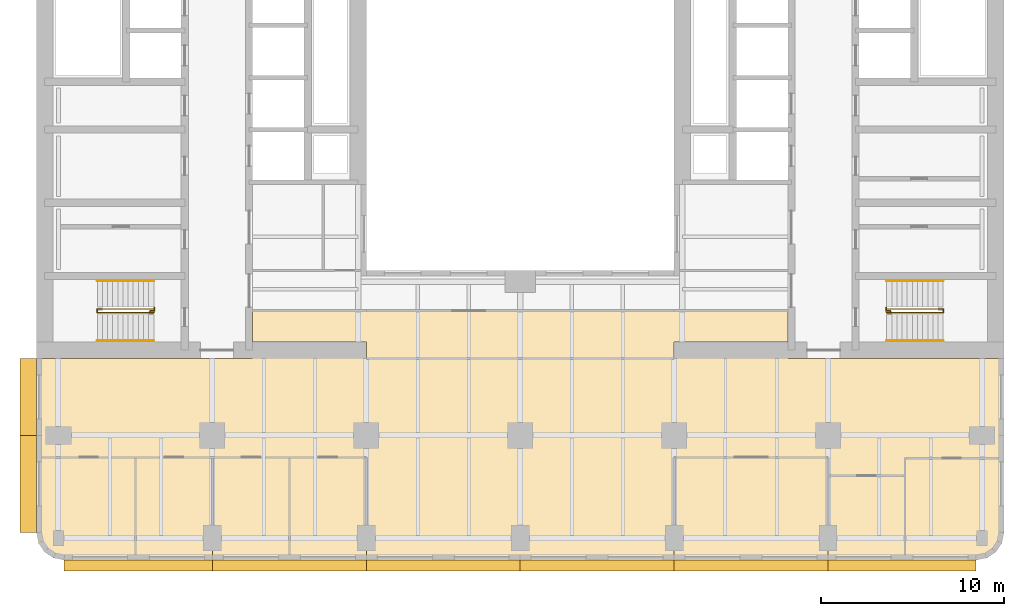
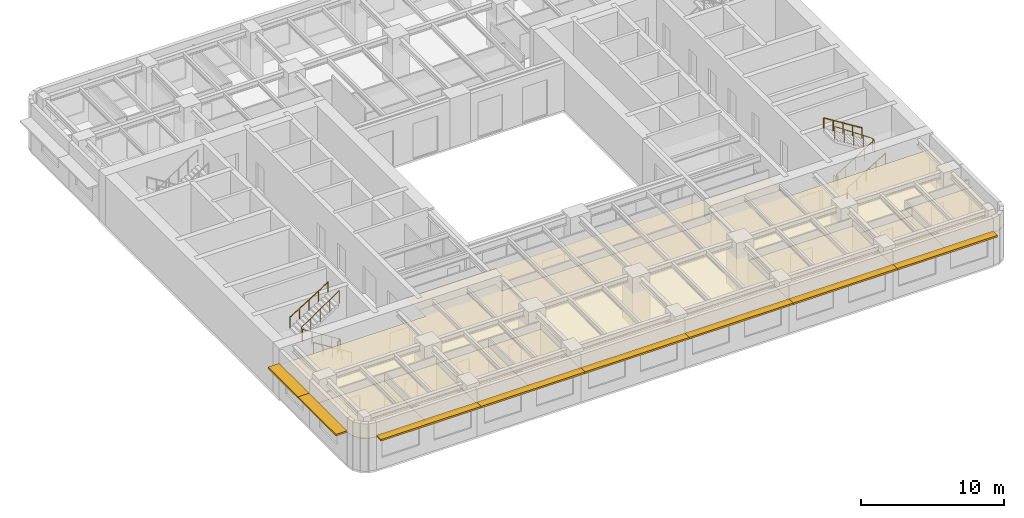
# One storey, part 9 of 11: 9 coverings, 8 railings, 8 shading devices.
"""IFC4 building model written with IfcOpenShell, lengths in metres."""

from ifc_helpers import new_model, si_unit, direction, frame, origin, origin_2d, place, context, subcontext, project, spatial, polyline, rectangle, circle, outline, extrude, material, layer, layer_set, type_object, element, save


model = new_model("IFC4")

# Units and contexts
model_context = context("Model", 3, precision=1e-05, world=origin(), true_north=direction((0.0, 1.0)))
body_context = subcontext(model_context, "Body", "Model", "MODEL_VIEW")
ifc_project = project(units=[si_unit("LENGTHUNIT", "METRE"), si_unit("AREAUNIT", "SQUARE_METRE"), si_unit("VOLUMEUNIT", "CUBIC_METRE"), si_unit("PLANEANGLEUNIT", "RADIAN"), si_unit("MASSUNIT", "GRAM", prefix="KILO")], contexts=[model_context])

# Site, building, storey
site_placement = place(None, origin())
site = spatial("IfcSite", under=ifc_project, at=site_placement, CompositionType="ELEMENT")
building_placement = place(site_placement, origin())
building = spatial("IfcBuilding", under=site, at=building_placement, Name="Claustro Exchange Tower", CompositionType="ELEMENT")
storey_placement = place(building_placement, frame((0.0, 0.0, 109.199951171875)))
storey = spatial("IfcBuildingStorey", under=building, at=storey_placement, Name="L24", CompositionType="ELEMENT", Elevation=109.199951171875)

# Coverings
ifc_material_1 = material(Name="Perforated metal ceiling tiles", Category="steel")
ifc_layer_1 = layer(ifc_material_1, 0.030029296875)
ifc_layer_set_1 = layer_set([ifc_layer_1], Name="Perforated metal ceiling tiles")
covering_type_1 = type_object("IfcCoveringType", Name="CL1 suspended metal ceiling", PredefinedType="CEILING", material=ifc_layer_set_1)
covering_1_placement = place(storey_placement, frame((0.0, 0.0, 2.800048828125)))
element("IfcCovering", 1, at=covering_1_placement, inside=storey, type_object=covering_type_1, Name="Ceiling CL1 L24-08", PredefinedType="CEILING", context=body_context, shape_type="SweptSolid", body=[
    extrude(outline(polyline([(-1.199951171875, 12.60009765625), (-1.199951171875, 7.199951171875), (4.199951171875, 7.199951171875), (8.39990234375, 7.199951171875), (12.60009765625, 7.199951171875), (16.800048828125, 7.199951171875), (16.800048828125, 1.60009765625), (33.60009765625, 1.60009765625), (33.60009765625, 7.199951171875), (42.0, 7.199951171875), (42.0, 6.199951171875), (46.199951171875, 6.199951171875), (46.199951171875, 7.14990234375), (51.60009765625, 7.14990234375), (51.60009765625, 12.60009765625), (39.800048828125, 12.60009765625), (39.800048828125, 13.5), (33.60009765625, 13.5), (33.60009765625, 12.60009765625), (16.800048828125, 12.60009765625), (16.800048828125, 13.5), (10.60009765625, 13.5), (10.60009765625, 12.60009765625), (-1.199951171875, 12.60009765625)])), origin(), (0.0, 0.0, 1.0), 0.030029296875),
])
ifc_material_2 = material(Name="Gypsum board ceiling", Category="gypsum board")
ifc_layer_2 = layer(ifc_material_2, 0.02490234375)
ifc_layer_set_2 = layer_set([ifc_layer_2], Name="Gypsum board ceiling")
covering_type_2 = type_object("IfcCoveringType", Name="CL2 plasterboard ceiling", PredefinedType="CEILING", material=ifc_layer_set_2)
covering_2_placement = place(storey_placement, frame((0.0, 0.0, 2.800048828125)))
element("IfcCovering", 2, at=covering_2_placement, inside=storey, type_object=covering_type_2, Name="Ceiling CL2 L24-01", PredefinedType="CEILING", context=body_context, shape_type="SweptSolid", body=[
    extrude(outline(polyline([(42.0, 1.60009765625), (46.199951171875, 1.60009765625), (46.199951171875, 6.199951171875), (42.0, 6.199951171875), (42.0, 1.60009765625)])), origin(), (0.0, 0.0, 1.0), 0.02490234375),
])
covering_3_placement = place(storey_placement, frame((0.0, 0.0, 2.800048828125)))
element("IfcCovering", 3, at=covering_3_placement, inside=storey, type_object=covering_type_2, Name="Ceiling CL2 L24-02", PredefinedType="CEILING", context=body_context, shape_type="SweptSolid", body=[
    extrude(outline(polyline([(-1.085693359375, 2.52587890625), (-0.7607421875, 2.039306640625), (-0.27392578125, 1.714111328125), (0.300048828125, 1.60009765625), (4.199951171875, 1.60009765625), (4.199951171875, 7.199951171875), (-1.199951171875, 7.199951171875), (-1.199951171875, 3.10009765625), (-1.085693359375, 2.52587890625)])), origin(), (0.0, 0.0, 1.0), 0.02490234375),
])
covering_4_placement = place(storey_placement, frame((0.0, 0.0, 2.800048828125)))
element("IfcCovering", 4, at=covering_4_placement, inside=storey, type_object=covering_type_2, Name="Ceiling CL2 L24-03", PredefinedType="CEILING", context=body_context, shape_type="SweptSolid", body=[
    extrude(outline(polyline([(4.199951171875, 1.60009765625), (8.39990234375, 1.60009765625), (8.39990234375, 7.199951171875), (4.199951171875, 7.199951171875), (4.199951171875, 1.60009765625)])), origin(), (0.0, 0.0, 1.0), 0.02490234375),
])
covering_5_placement = place(storey_placement, frame((0.0, 0.0, 2.800048828125)))
element("IfcCovering", 5, at=covering_5_placement, inside=storey, type_object=covering_type_2, Name="Ceiling CL2 L24-04", PredefinedType="CEILING", context=body_context, shape_type="SweptSolid", body=[
    extrude(outline(polyline([(8.39990234375, 1.60009765625), (12.60009765625, 1.60009765625), (12.60009765625, 7.199951171875), (8.39990234375, 7.199951171875), (8.39990234375, 1.60009765625)])), origin(), (0.0, 0.0, 1.0), 0.02490234375),
])
covering_6_placement = place(storey_placement, frame((0.0, 0.0, 2.800048828125)))
element("IfcCovering", 6, at=covering_6_placement, inside=storey, type_object=covering_type_2, Name="Ceiling CL2 L24-05", PredefinedType="CEILING", context=body_context, shape_type="SweptSolid", body=[
    extrude(outline(polyline([(12.60009765625, 1.60009765625), (16.800048828125, 1.60009765625), (16.800048828125, 7.199951171875), (12.60009765625, 7.199951171875), (12.60009765625, 1.60009765625)])), origin(), (0.0, 0.0, 1.0), 0.02490234375),
])
covering_7_placement = place(storey_placement, frame((0.0, 0.0, 2.800048828125)))
element("IfcCovering", 7, at=covering_7_placement, inside=storey, type_object=covering_type_2, Name="Ceiling CL2 L24-06", PredefinedType="CEILING", context=body_context, shape_type="SweptSolid", body=[
    extrude(outline(polyline([(33.60009765625, 1.60009765625), (42.0, 1.60009765625), (42.0, 7.199951171875), (33.60009765625, 7.199951171875), (33.60009765625, 1.60009765625)])), origin(), (0.0, 0.0, 1.0), 0.02490234375),
])
covering_8_placement = place(storey_placement, frame((0.0, 0.0, 2.800048828125)))
element("IfcCovering", 8, at=covering_8_placement, inside=storey, type_object=covering_type_2, Name="Ceiling CL2 L24-07", PredefinedType="CEILING", context=body_context, shape_type="SweptSolid", body=[
    extrude(outline(polyline([(51.60009765625, 3.10009765625), (51.60009765625, 7.14990234375), (46.199951171875, 7.14990234375), (46.199951171875, 1.60009765625), (50.10009765625, 1.60009765625), (50.674072265625, 1.714111328125), (51.16064453125, 2.039306640625), (51.48583984375, 2.52587890625), (51.60009765625, 3.10009765625)])), origin(), (0.0, 0.0, 1.0), 0.02490234375),
])
covering_9_placement = place(storey_placement, frame((0.0, 0.0, 2.800048828125)))
element("IfcCovering", 9, at=covering_9_placement, inside=storey, type_object=covering_type_2, Name="Ceiling CL2 L24-09", PredefinedType="CEILING", context=body_context, shape_type="SweptSolid", body=[
    extrude(outline(polyline([(10.60009765625, 15.199951171875), (10.60009765625, 13.5), (16.800048828125, 13.5), (16.800048828125, 12.60009765625), (33.60009765625, 12.60009765625), (33.60009765625, 13.5), (39.800048828125, 13.5), (39.800048828125, 15.199951171875), (33.60009765625, 15.199951171875), (16.800048828125, 15.199951171875), (10.60009765625, 15.199951171875)])), origin(), (0.0, 0.0, 1.0), 0.02490234375),
])

# Railings
ifc_material_3 = material(Name="Steel balustrade, painted", Category="steel")
railing_type_1 = type_object("IfcRailingType", Name="GR2 1100 steel stair guard", PredefinedType="GUARDRAIL", material=ifc_material_3)
railing_1_placement = place(storey_placement, frame((5.199951171875, 15.10009765625, 0.175048828125)))
element("IfcRailing", 10, at=railing_1_placement, inside=storey, type_object=railing_type_1, Name="Stair well guard GR2 stair STWA L24", PredefinedType="GUARDRAIL", context=body_context, shape_type="SweptSolid", body=[
    extrude(circle(Radius=0.02392578125, at=origin_2d()), frame((0.0, 0.0, 1.076171875), z_axis=(-0.847979421464, 0.0, 0.530029150871), x_axis=(0.0, -1.0, 0.0)), (0.0, 0.0, 1.0), 3.632080078125),
    extrude(circle(Radius=0.02392578125, at=origin_2d()), frame((-3.079833984375, 0.0, 3.0009765625), z_axis=(0.0, 1.0, 0.0), x_axis=(-1.0, 0.0, 0.0)), (0.0, 0.0, 1.0), 0.199951171875),
    extrude(circle(Radius=0.02392578125, at=origin_2d()), frame((-3.079833984375, 0.199951171875, 3.0009765625), z_axis=(0.826231499792, 0.0, 0.563330727682), x_axis=(0.0, 1.0, 0.0)), (0.0, 0.0, 1.0), 3.7275390625),
    extrude(circle(Radius=0.02099609375, at=origin_2d()), origin(), (0.0, 0.0, 1.0), 1.052001953125),
    extrude(circle(Radius=0.02099609375, at=origin_2d()), frame((-0.77001953125, 0.0, 0.481201171875)), (0.0, 0.0, 1.0), 1.052001953125),
    extrude(circle(Radius=0.02099609375, at=origin_2d()), frame((-1.5400390625, 0.0, 0.96240234375)), (0.0, 0.0, 1.0), 1.052001953125),
    extrude(circle(Radius=0.02099609375, at=origin_2d()), frame((-2.309814453125, 0.0, 1.44384765625)), (0.0, 0.0, 1.0), 1.052001953125),
    extrude(circle(Radius=0.02099609375, at=origin_2d()), frame((-3.079833984375, 0.0, 1.925048828125)), (0.0, 0.0, 1.0), 1.052001953125),
    extrude(circle(Radius=0.02099609375, at=origin_2d()), frame((-3.079833984375, 0.199951171875, 1.925048828125)), (0.0, 0.0, 1.0), 1.052001953125),
    extrude(circle(Radius=0.02099609375, at=origin_2d()), frame((-2.309814453125, 0.199951171875, 2.449951171875)), (0.0, 0.0, 1.0), 1.052001953125),
    extrude(circle(Radius=0.02099609375, at=origin_2d()), frame((-1.5400390625, 0.199951171875, 2.97509765625)), (0.0, 0.0, 1.0), 1.052001953125),
    extrude(circle(Radius=0.02099609375, at=origin_2d()), frame((-0.77001953125, 0.199951171875, 3.5)), (0.0, 0.0, 1.0), 1.052001953125),
    extrude(circle(Radius=0.02099609375, at=origin_2d()), frame((0.0, 0.199951171875, 4.02490234375)), (0.0, 0.0, 1.0), 1.052001953125),
])
railing_2_placement = place(storey_placement, frame((5.0, 15.169921875, 0.0)))
element("IfcRailing", 11, at=railing_2_placement, inside=storey, type_object=railing_type_1, Name="Stair guard GR2 STWA L24", PredefinedType="GUARDRAIL", context=body_context, shape_type="SweptSolid", body=[
    extrude(circle(Radius=0.02392578125, at=origin_2d()), frame((0.0, 0.0, 1.076171875), z_axis=(0.0, 1.0, 0.0), x_axis=(-1.0, 0.0, 0.0)), (0.0, 0.0, 1.0), 0.030029296875),
    extrude(circle(Radius=0.02392578125, at=origin_2d()), frame((0.0, 0.030029296875, 1.076171875), z_axis=(1.0, 0.0, 0.0), x_axis=(0.0, 1.0, 0.0)), (0.0, 0.0, 1.0), 0.22509765625),
    extrude(circle(Radius=0.02392578125, at=origin_2d()), frame((0.22509765625, 0.030029296875, 1.076171875), z_axis=(0.0, 1.0, 0.0), x_axis=(-1.0, 0.0, 0.0)), (0.0, 0.0, 1.0), 0.179931640625),
    extrude(circle(Radius=0.02099609375, at=origin_2d()), origin(), (0.0, 0.0, 1.0), 1.052001953125),
    extrude(circle(Radius=0.02099609375, at=origin_2d()), frame((0.0, 0.030029296875, 0.0)), (0.0, 0.0, 1.0), 1.052001953125),
    extrude(circle(Radius=0.02099609375, at=origin_2d()), frame((0.22509765625, 0.030029296875, 0.0)), (0.0, 0.0, 1.0), 1.052001953125),
    extrude(circle(Radius=0.02099609375, at=origin_2d()), frame((0.22509765625, 0.2099609375, 0.0)), (0.0, 0.0, 1.0), 1.052001953125),
])
railing_3_placement = place(storey_placement, frame((45.199951171875, 15.10009765625, 0.175048828125)))
element("IfcRailing", 12, at=railing_3_placement, inside=storey, type_object=railing_type_1, Name="Stair well guard GR2 stair STEA L24", PredefinedType="GUARDRAIL", context=body_context, shape_type="SweptSolid", body=[
    extrude(circle(Radius=0.02392578125, at=origin_2d()), frame((0.0, 0.0, 1.076171875), z_axis=(0.847998304005, 0.0, 0.529998940003), x_axis=(0.0, 1.0, 0.0)), (0.0, 0.0, 1.0), 3.632080078125),
    extrude(circle(Radius=0.02392578125, at=origin_2d()), frame((3.080078125, 0.0, 3.0009765625), z_axis=(0.0, 1.0, 0.0), x_axis=(-1.0, 0.0, 0.0)), (0.0, 0.0, 1.0), 0.199951171875),
    extrude(circle(Radius=0.02392578125, at=origin_2d()), frame((3.080078125, 0.199951171875, 3.0009765625), z_axis=(-0.826252282691, 0.0, 0.563300244406), x_axis=(0.0, -1.0, 0.0)), (0.0, 0.0, 1.0), 3.727783203125),
    extrude(circle(Radius=0.02099609375, at=origin_2d()), origin(), (0.0, 0.0, 1.0), 1.052001953125),
    extrude(circle(Radius=0.02099609375, at=origin_2d()), frame((0.77001953125, 0.0, 0.481201171875)), (0.0, 0.0, 1.0), 1.052001953125),
    extrude(circle(Radius=0.02099609375, at=origin_2d()), frame((1.5400390625, 0.0, 0.96240234375)), (0.0, 0.0, 1.0), 1.052001953125),
    extrude(circle(Radius=0.02099609375, at=origin_2d()), frame((2.31005859375, 0.0, 1.44384765625)), (0.0, 0.0, 1.0), 1.052001953125),
    extrude(circle(Radius=0.02099609375, at=origin_2d()), frame((3.080078125, 0.0, 1.925048828125)), (0.0, 0.0, 1.0), 1.052001953125),
    extrude(circle(Radius=0.02099609375, at=origin_2d()), frame((3.080078125, 0.199951171875, 1.925048828125)), (0.0, 0.0, 1.0), 1.052001953125),
    extrude(circle(Radius=0.02099609375, at=origin_2d()), frame((2.31005859375, 0.199951171875, 2.449951171875)), (0.0, 0.0, 1.0), 1.052001953125),
    extrude(circle(Radius=0.02099609375, at=origin_2d()), frame((1.5400390625, 0.199951171875, 2.97509765625)), (0.0, 0.0, 1.0), 1.052001953125),
    extrude(circle(Radius=0.02099609375, at=origin_2d()), frame((0.77001953125, 0.199951171875, 3.5)), (0.0, 0.0, 1.0), 1.052001953125),
    extrude(circle(Radius=0.02099609375, at=origin_2d()), frame((0.0, 0.199951171875, 4.02490234375)), (0.0, 0.0, 1.0), 1.052001953125),
])
railing_4_placement = place(storey_placement, frame((45.39990234375, 15.169921875, 0.0)))
element("IfcRailing", 13, at=railing_4_placement, inside=storey, type_object=railing_type_1, Name="Stair guard GR2 STEA L24", PredefinedType="GUARDRAIL", context=body_context, shape_type="SweptSolid", body=[
    extrude(circle(Radius=0.02392578125, at=origin_2d()), frame((0.0, 0.0, 1.076171875), z_axis=(0.0, 1.0, 0.0), x_axis=(-1.0, 0.0, 0.0)), (0.0, 0.0, 1.0), 0.030029296875),
    extrude(circle(Radius=0.02392578125, at=origin_2d()), frame((0.0, 0.030029296875, 1.076171875), z_axis=(-1.0, 0.0, 0.0), x_axis=(0.0, -1.0, 0.0)), (0.0, 0.0, 1.0), 0.224853515625),
    extrude(circle(Radius=0.02392578125, at=origin_2d()), frame((-0.224853515625, 0.030029296875, 1.076171875), z_axis=(0.0, 1.0, 0.0), x_axis=(-1.0, 0.0, 0.0)), (0.0, 0.0, 1.0), 0.179931640625),
    extrude(circle(Radius=0.02099609375, at=origin_2d()), origin(), (0.0, 0.0, 1.0), 1.052001953125),
    extrude(circle(Radius=0.02099609375, at=origin_2d()), frame((0.0, 0.030029296875, 0.0)), (0.0, 0.0, 1.0), 1.052001953125),
    extrude(circle(Radius=0.02099609375, at=origin_2d()), frame((-0.224853515625, 0.030029296875, 0.0)), (0.0, 0.0, 1.0), 1.052001953125),
    extrude(circle(Radius=0.02099609375, at=origin_2d()), frame((-0.224853515625, 0.2099609375, 0.0)), (0.0, 0.0, 1.0), 1.052001953125),
])
ifc_material_4 = material(Name="Stainless steel tube", Category="steel")
railing_type_2 = type_object("IfcRailingType", Name="HR1 900 stair handrail", PredefinedType="HANDRAIL", material=ifc_material_4)
railing_5_placement = place(storey_placement, frame((5.199951171875, 13.56005859375, 0.175048828125)))
element("IfcRailing", 14, at=railing_5_placement, inside=storey, type_object=railing_type_2, Name="Handrail HR1 stair STWA L24", PredefinedType="HANDRAIL", context=body_context, shape_type="SweptSolid", body=[
    extrude(circle(Radius=0.02392578125, at=origin_2d()), frame((0.0, 0.0, 0.8759765625), z_axis=(-0.847979421464, 0.0, 0.530029150871), x_axis=(0.0, -1.0, 0.0)), (0.0, 0.0, 1.0), 3.632080078125),
    extrude(circle(Radius=0.02099609375, at=origin_2d()), origin(), (0.0, 0.0, 1.0), 0.851806640625),
    extrude(circle(Radius=0.02099609375, at=origin_2d()), frame((-0.77001953125, 0.0, 0.481201171875)), (0.0, 0.0, 1.0), 0.851806640625),
    extrude(circle(Radius=0.02099609375, at=origin_2d()), frame((-1.5400390625, 0.0, 0.96240234375)), (0.0, 0.0, 1.0), 0.851806640625),
    extrude(circle(Radius=0.02099609375, at=origin_2d()), frame((-2.309814453125, 0.0, 1.44384765625)), (0.0, 0.0, 1.0), 0.851806640625),
    extrude(circle(Radius=0.02099609375, at=origin_2d()), frame((-3.079833984375, 0.0, 1.925048828125)), (0.0, 0.0, 1.0), 0.851806640625),
])
railing_6_placement = place(storey_placement, frame((2.1201171875, 16.840087890625, 2.275146484375)))
element("IfcRailing", 15, at=railing_6_placement, inside=storey, type_object=railing_type_2, Name="Handrail HR1 stair STWA L24", PredefinedType="HANDRAIL", context=body_context, shape_type="SweptSolid", body=[
    extrude(circle(Radius=0.02392578125, at=origin_2d()), frame((0.0, 0.0, 0.8759765625), z_axis=(0.848009633417, 0.0, 0.529980812513), x_axis=(0.0, 1.0, 0.0)), (0.0, 0.0, 1.0), 3.6318359375),
    extrude(circle(Radius=0.02099609375, at=origin_2d()), origin(), (0.0, 0.0, 1.0), 0.851806640625),
    extrude(circle(Radius=0.02099609375, at=origin_2d()), frame((0.77001953125, 0.0, 0.481201171875)), (0.0, 0.0, 1.0), 0.851806640625),
    extrude(circle(Radius=0.02099609375, at=origin_2d()), frame((1.5400390625, 0.0, 0.96240234375)), (0.0, 0.0, 1.0), 0.851806640625),
    extrude(circle(Radius=0.02099609375, at=origin_2d()), frame((2.309814453125, 0.0, 1.443603515625)), (0.0, 0.0, 1.0), 0.851806640625),
    extrude(circle(Radius=0.02099609375, at=origin_2d()), frame((3.079833984375, 0.0, 1.9248046875)), (0.0, 0.0, 1.0), 0.851806640625),
])
railing_7_placement = place(storey_placement, frame((45.199951171875, 13.56005859375, 0.175048828125)))
element("IfcRailing", 16, at=railing_7_placement, inside=storey, type_object=railing_type_2, Name="Handrail HR1 stair STEA L24", PredefinedType="HANDRAIL", context=body_context, shape_type="SweptSolid", body=[
    extrude(circle(Radius=0.02392578125, at=origin_2d()), frame((0.0, 0.0, 0.8759765625), z_axis=(0.847998304005, 0.0, 0.529998940003), x_axis=(0.0, 1.0, 0.0)), (0.0, 0.0, 1.0), 3.632080078125),
    extrude(circle(Radius=0.02099609375, at=origin_2d()), origin(), (0.0, 0.0, 1.0), 0.851806640625),
    extrude(circle(Radius=0.02099609375, at=origin_2d()), frame((0.77001953125, 0.0, 0.481201171875)), (0.0, 0.0, 1.0), 0.851806640625),
    extrude(circle(Radius=0.02099609375, at=origin_2d()), frame((1.5400390625, 0.0, 0.96240234375)), (0.0, 0.0, 1.0), 0.851806640625),
    extrude(circle(Radius=0.02099609375, at=origin_2d()), frame((2.31005859375, 0.0, 1.44384765625)), (0.0, 0.0, 1.0), 0.851806640625),
    extrude(circle(Radius=0.02099609375, at=origin_2d()), frame((3.080078125, 0.0, 1.925048828125)), (0.0, 0.0, 1.0), 0.851806640625),
])
railing_8_placement = place(storey_placement, frame((48.280029296875, 16.840087890625, 2.275146484375)))
element("IfcRailing", 17, at=railing_8_placement, inside=storey, type_object=railing_type_2, Name="Handrail HR1 stair STEA L24", PredefinedType="HANDRAIL", context=body_context, shape_type="SweptSolid", body=[
    extrude(circle(Radius=0.02392578125, at=origin_2d()), frame((0.0, 0.0, 0.8759765625), z_axis=(-0.848028513186, 0.0, 0.529950602248), x_axis=(0.0, -1.0, 0.0)), (0.0, 0.0, 1.0), 3.632080078125),
    extrude(circle(Radius=0.02099609375, at=origin_2d()), origin(), (0.0, 0.0, 1.0), 0.851806640625),
    extrude(circle(Radius=0.02099609375, at=origin_2d()), frame((-0.77001953125, 0.0, 0.481201171875)), (0.0, 0.0, 1.0), 0.851806640625),
    extrude(circle(Radius=0.02099609375, at=origin_2d()), frame((-1.5400390625, 0.0, 0.96240234375)), (0.0, 0.0, 1.0), 0.851806640625),
    extrude(circle(Radius=0.02099609375, at=origin_2d()), frame((-2.31005859375, 0.0, 1.443603515625)), (0.0, 0.0, 1.0), 0.851806640625),
    extrude(circle(Radius=0.02099609375, at=origin_2d()), frame((-3.080078125, 0.0, 1.9248046875)), (0.0, 0.0, 1.0), 0.851806640625),
])

# Shading devices
ifc_material_5 = material(Name="Concrete HA-40 (C40/50), precast, white cement, acid-etched", Category="concrete")
ifc_layer_3 = layer(ifc_material_5, 0.14990234375)
ifc_layer_set_3 = layer_set([ifc_layer_3], Name="Concrete HA-40 (C40/50), precast, white cement, acid-etched")
shading_device_type_1 = type_object("IfcShadingDeviceType", Name="SS1 600 precast concrete SUNSHADE", PredefinedType="SHUTTER", material=ifc_layer_set_3)
shading_device_1_placement = place(storey_placement, frame((46.04248046875, 1.300048828125, 2.800048828125), z_axis=(0.0, 0.0, 1.0), x_axis=(-1.0, 0.0, 0.0)))
element("IfcShadingDevice", 18, at=shading_device_1_placement, inside=storey, type_object=shading_device_type_1, Name="Precast SUNSHADE SS1 L24", PredefinedType="SHUTTER", context=body_context, shape_type="SweptSolid", body=[
    extrude(rectangle(XDim=8.085205078125, YDim=0.60009765625, at=origin_2d()), origin(), (0.0, 0.0, 1.0), 0.14990234375),
])
for number, where, z_axis, x_axis, name in (
    (19, (37.800048828125, 1.300048828125, 2.800048828125), (0.0, 0.0, 1.0), (-1.0, 0.0, 0.0), "Precast SUNSHADE SS1 L24"),
    (20, (29.39990234375, 1.300048828125, 2.800048828125), (0.0, 0.0, 1.0), (-1.0, 0.0, 0.0), "Precast SUNSHADE SS1 L24"),
    (21, (21.0, 1.300048828125, 2.800048828125), (0.0, 0.0, 1.0), (-1.0, 0.0, 0.0), "Precast SUNSHADE SS1 L24"),
    (22, (12.60009765625, 1.300048828125, 2.800048828125), (0.0, 0.0, 1.0), (-1.0, 0.0, 0.0), "Precast SUNSHADE SS1 L24"),
):
    element("IfcShadingDevice", number, at=place(storey_placement, frame(where, z_axis=z_axis, x_axis=x_axis)), inside=storey, type_object=shading_device_type_1, Name=name, PredefinedType="SHUTTER", context=body_context, shape_type="SweptSolid", body=[
        extrude(rectangle(XDim=8.39990234375, YDim=0.60009765625, at=origin_2d()), origin(), (0.0, 0.0, 1.0), 0.14990234375),
    ])
shading_device_2_placement = place(storey_placement, frame((4.357421875, 1.300048828125, 2.800048828125), z_axis=(0.0, 0.0, 1.0), x_axis=(-1.0, 0.0, 0.0)))
element("IfcShadingDevice", 23, at=shading_device_2_placement, inside=storey, type_object=shading_device_type_1, Name="Precast SUNSHADE SS1 L24", PredefinedType="SHUTTER", context=body_context, shape_type="SweptSolid", body=[
    extrude(rectangle(XDim=8.085205078125, YDim=0.60009765625, at=origin_2d()), origin(), (0.0, 0.0, 1.0), 0.14990234375),
])
ifc_material_6 = material(Name="Concrete HA-40 (C40/50), precast, white cement, acid-etched", Category="concrete")
ifc_layer_4 = layer(ifc_material_6, 0.14990234375)
ifc_layer_set_4 = layer_set([ifc_layer_4], Name="Concrete HA-40 (C40/50), precast, white cement, acid-etched")
shading_device_type_2 = type_object("IfcShadingDeviceType", Name="SS2 900 precast concrete SUNSHADE", PredefinedType="SHUTTER", material=ifc_layer_set_4)
shading_device_3_placement = place(storey_placement, frame((-1.64990234375, 5.75732421875, 2.800048828125), z_axis=(0.0, 0.0, 1.0), x_axis=(0.0, 1.0, 0.0)))
element("IfcShadingDevice", 24, at=shading_device_3_placement, inside=storey, type_object=shading_device_type_2, Name="Precast SUNSHADE SS2 L24", PredefinedType="SHUTTER", context=body_context, shape_type="SweptSolid", body=[
    extrude(rectangle(XDim=5.28515625, YDim=0.89990234375, at=origin_2d()), origin(), (0.0, 0.0, 1.0), 0.14990234375),
])
shading_device_4_placement = place(storey_placement, frame((-1.64990234375, 10.5, 2.800048828125), z_axis=(0.0, 0.0, 1.0), x_axis=(0.0, 1.0, 0.0)))
element("IfcShadingDevice", 25, at=shading_device_4_placement, inside=storey, type_object=shading_device_type_2, Name="Precast SUNSHADE SS2 L24", PredefinedType="SHUTTER", context=body_context, shape_type="SweptSolid", body=[
    extrude(rectangle(XDim=4.199951171875, YDim=0.89990234375, at=origin_2d()), origin(), (0.0, 0.0, 1.0), 0.14990234375),
])

save(model, "model.ifc")
